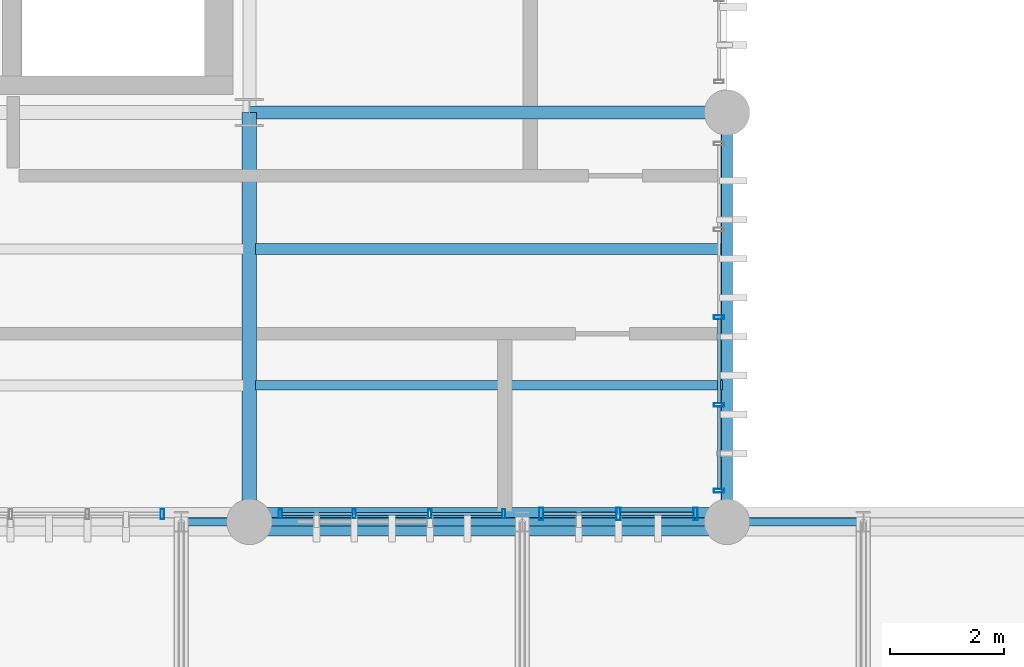
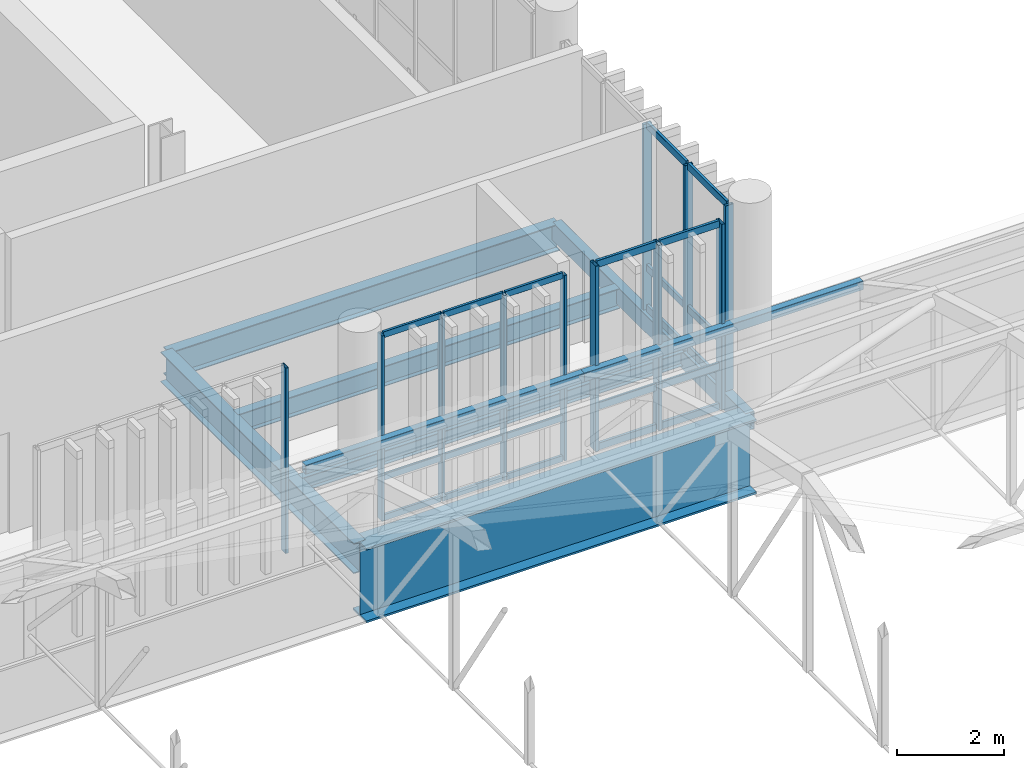
# One storey, part 53 of 109: 34 members, 6 beams, 4 elements without a shape of their own.
"""IFC4 building model written with IfcOpenShell, lengths in metres."""

from ifc_helpers import new_model, si_unit, direction, frame, origin_with_axes, origin_2d_with_axis, place, context, subcontext, project, spatial, hollow_rectangle, i_section, extrude, material, material_profile, profile_set, type_object, element, aggregate, save


model = new_model("IFC4")

# Units and contexts
model_context = context("Model", 3, precision=1e-05, world=origin_with_axes(), true_north=direction((0.0, 1.0)))
body_context = subcontext(model_context, "Body", "Model", "MODEL_VIEW")
ifc_project = project(units=[si_unit("LENGTHUNIT", "METRE"), si_unit("AREAUNIT", "SQUARE_METRE"), si_unit("VOLUMEUNIT", "CUBIC_METRE"), si_unit("PLANEANGLEUNIT", "RADIAN"), si_unit("MASSUNIT", "GRAM", prefix="KILO"), si_unit("THERMODYNAMICTEMPERATUREUNIT", "KELVIN")], contexts=[model_context])

# Site, building, storey
site_placement = place(None, origin_with_axes())
site = spatial("IfcSite", under=ifc_project, at=site_placement, CompositionType="ELEMENT")
building_placement = place(site_placement, origin_with_axes())
building = spatial("IfcBuilding", under=site, at=building_placement, Name="Montbau Bow Law Courts", CompositionType="ELEMENT")
storey_placement = place(building_placement, frame((0.0, 0.0, 10.8), z_axis=(0.0, 0.0, 1.0), x_axis=(1.0, 0.0, 0.0)))
storey = spatial("IfcBuildingStorey", under=building, at=storey_placement, Name="L02", CompositionType="ELEMENT", Elevation=10.8)

# Beams
ifc_material_1 = material(Name="Steel CSA G40.21 Grade 350W (350 MPa)", Category="steel")
ifc_material_profile_1 = material_profile(ifc_material_1, i_section(OverallWidth=0.254, OverallDepth=0.688, WebThickness=0.0131, FlangeThickness=0.0211, at=origin_2d_with_axis()), Name="W690X152", Category="Main", Priority=0)
ifc_profile_set_1 = profile_set([ifc_material_profile_1], Name="Steel CSA G40.21 Grade 350W (350 MPa)")
beam_type_1 = type_object("IfcBeamType", Name="B-FLR-04", PredefinedType="BEAM", material=ifc_profile_set_1)
beam_1_placement = place(None, frame((88.8, 39.0, 10.216), z_axis=(0.0, 1.0, 0.0), x_axis=(-1.0, 0.0, 0.0)))
element("IfcBeam", 1, at=beam_1_placement, inside=storey, type_object=beam_type_1, Name="BM-L02-S0869:bm2_0872", PredefinedType="BEAM", context=body_context, shape_type="SweptSolid", body=[
    extrude(i_section(OverallWidth=0.254, OverallDepth=0.688, WebThickness=0.0131, FlangeThickness=0.0211, at=origin_2d_with_axis()), origin_with_axes(), (0.0, 0.0, 1.0), 7.2),
])
ifc_material_profile_2 = material_profile(ifc_material_1, i_section(OverallWidth=0.229, OverallDepth=0.612, WebThickness=0.0119, FlangeThickness=0.0196, at=origin_2d_with_axis()), Name="W610X125", Category="Main", Priority=0)
ifc_profile_set_2 = profile_set([ifc_material_profile_2], Name="Steel CSA G40.21 Grade 350W (350 MPa)")
beam_type_2 = type_object("IfcBeamType", Name="B-FLR-05", PredefinedType="BEAM", material=ifc_profile_set_2)
beam_2_placement = place(None, frame((88.8, 46.2, 10.254), z_axis=(1.0, 0.0, 0.0), x_axis=(0.0, 1.0, 0.0)))
element("IfcBeam", 2, at=beam_2_placement, inside=storey, type_object=beam_type_2, Name="BM-L02-S0844:bm2_0847", PredefinedType="BEAM", context=body_context, shape_type="SweptSolid", body=[
    extrude(i_section(OverallWidth=0.229, OverallDepth=0.612, WebThickness=0.0119, FlangeThickness=0.0196, at=origin_2d_with_axis()), origin_with_axes(), (0.0, 0.0, 1.0), 8.4),
])
ifc_material_profile_3 = material_profile(ifc_material_1, i_section(OverallWidth=0.191, OverallDepth=0.46, WebThickness=0.0099, FlangeThickness=0.016, at=origin_2d_with_axis()), Name="W460X82", Category="Main", Priority=0)
ifc_profile_set_3 = profile_set([ifc_material_profile_3], Name="Steel CSA G40.21 Grade 350W (350 MPa)")
beam_type_3 = type_object("IfcBeamType", Name="B-JST-01", PredefinedType="JOIST", material=ifc_profile_set_3)
beam_3_placement = place(None, frame((88.903, 43.8, 10.33), z_axis=(1.0, 0.0, 0.0), x_axis=(0.0, 1.0, 0.0)))
element("IfcBeam", 3, at=beam_3_placement, inside=storey, type_object=beam_type_3, Name="JST-L02-S0452:jst2_0452", PredefinedType="JOIST", context=body_context, shape_type="SweptSolid", body=[
    extrude(i_section(OverallWidth=0.191, OverallDepth=0.46, WebThickness=0.0099, FlangeThickness=0.016, at=origin_2d_with_axis()), origin_with_axes(), (0.0, 0.0, 1.0), 8.217),
])
ifc_material_profile_4 = material_profile(ifc_material_1, i_section(OverallWidth=0.166, OverallDepth=0.313, WebThickness=0.0066, FlangeThickness=0.0112, at=origin_2d_with_axis()), Name="W310X45", Category="Main", Priority=0)
ifc_profile_set_4 = profile_set([ifc_material_profile_4], Name="Steel CSA G40.21 Grade 350W (350 MPa)")
beam_type_4 = type_object("IfcBeamType", Name="B-JST-04", PredefinedType="JOIST", material=ifc_profile_set_4)
beam_4_placement = place(None, frame((88.903, 41.4, 10.404), z_axis=(1.0, 0.0, 0.0), x_axis=(0.0, 1.0, 0.0)))
element("IfcBeam", 4, at=beam_4_placement, inside=storey, type_object=beam_type_4, Name="JST-L02-S0451:jst2_0451", PredefinedType="JOIST", context=body_context, shape_type="SweptSolid", body=[
    extrude(i_section(OverallWidth=0.166, OverallDepth=0.313, WebThickness=0.0066, FlangeThickness=0.0112, at=origin_2d_with_axis()), origin_with_axes(), (0.0, 0.0, 1.0), 8.217),
])
ifc_material_2 = material(Name="Steel CSA G40.21 Grade 350WT (350 MPa)", Category="steel")
ifc_material_profile_5 = material_profile(ifc_material_2, hollow_rectangle(XDim=0.203, YDim=0.406, WallThickness=0.0127, InnerFilletRadius=0.0254, OuterFilletRadius=0.0127, at=origin_2d_with_axis()), Name="HSS406X203X13", Category="Main", Priority=0)
ifc_profile_set_5 = profile_set([ifc_material_profile_5], Name="Steel CSA G40.21 Grade 350WT (350 MPa)")
beam_type_5 = type_object("IfcBeamType", Name="B-SPN-01", PredefinedType="SPANDREL", material=ifc_profile_set_5)
beam_5_placement = place(None, frame((97.2, 39.0, 10.357), z_axis=(0.0, 1.0, 0.0), x_axis=(-1.0, 0.0, 0.0)))
element("IfcBeam", 5, at=beam_5_placement, inside=storey, type_object=beam_type_5, Name="SPN-L02-S0872:bm2_0875", PredefinedType="SPANDREL", context=body_context, shape_type="SweptSolid", body=[
    extrude(hollow_rectangle(XDim=0.203, YDim=0.406, WallThickness=0.0127, InnerFilletRadius=0.0254, OuterFilletRadius=0.0127, at=origin_2d_with_axis()), origin_with_axes(), (0.0, 0.0, 1.0), 7.2),
])
ifc_material_profile_6 = material_profile(ifc_material_2, i_section(OverallWidth=0.5, OverallDepth=1.7, WebThickness=0.02, FlangeThickness=0.045, at=origin_2d_with_axis()), Name="WWF1700X480", Category="Main", Priority=0)
ifc_profile_set_6 = profile_set([ifc_material_profile_6], Name="Steel CSA G40.21 Grade 350WT (350 MPa)")
beam_type_6 = type_object("IfcBeamType", Name="B-TRG-02", PredefinedType="USERDEFINED", material=ifc_profile_set_6)
beam_6_placement = place(None, frame((88.8, 39.0, 9.71), z_axis=(1.0, 0.0, 0.0), x_axis=(0.0, 1.0, 0.0)))
element("IfcBeam", 6, at=beam_6_placement, inside=storey, type_object=beam_type_6, Name="VRG-L02-S0017:bm2_0020", ObjectType="GIRDER", PredefinedType="USERDEFINED", context=body_context, shape_type="SweptSolid", body=[
    extrude(i_section(OverallWidth=0.5, OverallDepth=1.7, WebThickness=0.02, FlangeThickness=0.045, at=origin_2d_with_axis()), origin_with_axes(), (0.0, 0.0, 1.0), 8.4),
])

# Curtain wall, members
ifc_material_3 = material(Name="Thermally Broken Extruded Aluminium AA 6063-T6", Category="aluminium")
curtain_wall_type = type_object("IfcCurtainWallType", Name="CW-CRM-01", PredefinedType="NOTDEFINED", material=ifc_material_3)
curtain_wall_1_placement = place(None, frame((93.897, 39.14, 10.8), z_axis=(0.0, 0.0, 1.0), x_axis=(1.0, 0.0, 0.0)))
curtain_wall_1 = element("IfcCurtainWall", 7, at=curtain_wall_1_placement, inside=storey, type_object=curtain_wall_type, Name="CW-L02-162:cw_0162", PredefinedType="NOTDEFINED")
ifc_material_profile_7 = material_profile(ifc_material_3, hollow_rectangle(XDim=0.075, YDim=0.22, WallThickness=0.005, InnerFilletRadius=0.01, OuterFilletRadius=0.005, at=origin_2d_with_axis()), Name="CWM-220X75", Category="Main", Priority=0)
ifc_profile_set_7 = profile_set([ifc_material_profile_7], Name="Thermally Broken Extruded Aluminium AA 6063-T6")
member_type_1 = type_object("IfcMemberType", Name="M-MUL-01", PredefinedType="MULLION", material=ifc_profile_set_7)
member_1_placement = place(None, frame((93.934, 39.14, 10.8), z_axis=(0.0, 0.0, 1.0), x_axis=(1.0, 0.0, 0.0)))
member_1 = element("IfcMember", 8, at=member_1_placement, type_object=member_type_1, Name="CW-L02-162-M01:cw_0162_M01", PredefinedType="MULLION", context=body_context, shape_type="SweptSolid", body=[
    extrude(hollow_rectangle(XDim=0.075, YDim=0.22, WallThickness=0.005, InnerFilletRadius=0.01, OuterFilletRadius=0.005, at=origin_2d_with_axis()), origin_with_axes(), (0.0, 0.0, 1.0), 4.22),
])
member_2_placement = place(None, frame((95.291, 39.14, 10.8), z_axis=(0.0, 0.0, 1.0), x_axis=(1.0, 0.0, 0.0)))
member_2 = element("IfcMember", 9, at=member_2_placement, type_object=member_type_1, Name="CW-L02-162-M02:cw_0162_M02", PredefinedType="MULLION", context=body_context, shape_type="SweptSolid", body=[
    extrude(hollow_rectangle(XDim=0.075, YDim=0.22, WallThickness=0.005, InnerFilletRadius=0.01, OuterFilletRadius=0.005, at=origin_2d_with_axis()), origin_with_axes(), (0.0, 0.0, 1.0), 4.22),
])
member_3_placement = place(None, frame((96.647, 39.14, 10.8), z_axis=(0.0, 0.0, 1.0), x_axis=(1.0, 0.0, 0.0)))
member_3 = element("IfcMember", 10, at=member_3_placement, type_object=member_type_1, Name="CW-L02-162-M03:cw_0162_M03", PredefinedType="MULLION", context=body_context, shape_type="SweptSolid", body=[
    extrude(hollow_rectangle(XDim=0.075, YDim=0.22, WallThickness=0.005, InnerFilletRadius=0.01, OuterFilletRadius=0.005, at=origin_2d_with_axis()), origin_with_axes(), (0.0, 0.0, 1.0), 4.22),
])

# Curtain wall, member
curtain_wall_2_placement = place(None, frame((81.897, 39.14, 10.8), z_axis=(0.0, 0.0, 1.0), x_axis=(1.0, 0.0, 0.0)))
curtain_wall_2 = element("IfcCurtainWall", 11, at=curtain_wall_2_placement, inside=storey, type_object=curtain_wall_type, Name="CW-L02-160:cw_0160", PredefinedType="NOTDEFINED")
ifc_material_profile_8 = material_profile(ifc_material_3, hollow_rectangle(XDim=0.065, YDim=0.18, WallThickness=0.005, InnerFilletRadius=0.01, OuterFilletRadius=0.005, at=origin_2d_with_axis()), Name="CWM-180X65", Category="Main", Priority=0)
ifc_profile_set_8 = profile_set([ifc_material_profile_8], Name="Thermally Broken Extruded Aluminium AA 6063-T6")
member_type_2 = type_object("IfcMemberType", Name="M-MUL-02", PredefinedType="MULLION", material=ifc_profile_set_8)
member_4_placement = place(None, frame((87.27, 39.14, 10.8), z_axis=(0.0, 0.0, 1.0), x_axis=(1.0, 0.0, 0.0)))
member_4 = element("IfcMember", 12, at=member_4_placement, type_object=member_type_2, Name="CW-L02-160-M05:cw_0160_M05", PredefinedType="MULLION", context=body_context, shape_type="SweptSolid", body=[
    extrude(hollow_rectangle(XDim=0.065, YDim=0.18, WallThickness=0.005, InnerFilletRadius=0.01, OuterFilletRadius=0.005, at=origin_2d_with_axis()), origin_with_axes(), (0.0, 0.0, 1.0), 4.22),
])
aggregate(curtain_wall_2, [member_4])

# Curtain wall, members
curtain_wall_3_placement = place(None, frame((97.06, 39.515, 10.8), z_axis=(0.0, 0.0, 1.0), x_axis=(1.0, 0.0, 0.0)))
curtain_wall_3 = element("IfcCurtainWall", 13, at=curtain_wall_3_placement, inside=storey, type_object=curtain_wall_type, Name="CW-L02-172:cw_0172", PredefinedType="NOTDEFINED")
member_5_placement = place(None, frame((97.06, 39.548, 10.8), z_axis=(0.0, 0.0, 1.0), x_axis=(0.0, 1.0, 0.0)))
member_5 = element("IfcMember", 14, at=member_5_placement, type_object=member_type_2, Name="CW-L02-172-M01:cw_0172_M01", PredefinedType="MULLION", context=body_context, shape_type="SweptSolid", body=[
    extrude(hollow_rectangle(XDim=0.065, YDim=0.18, WallThickness=0.005, InnerFilletRadius=0.01, OuterFilletRadius=0.005, at=origin_2d_with_axis()), origin_with_axes(), (0.0, 0.0, 1.0), 4.22),
])
member_6_placement = place(None, frame((97.06, 41.058, 10.8), z_axis=(0.0, 0.0, 1.0), x_axis=(0.0, 1.0, 0.0)))
member_6 = element("IfcMember", 15, at=member_6_placement, type_object=member_type_2, Name="CW-L02-172-M02:cw_0172_M02", PredefinedType="MULLION", context=body_context, shape_type="SweptSolid", body=[
    extrude(hollow_rectangle(XDim=0.065, YDim=0.18, WallThickness=0.005, InnerFilletRadius=0.01, OuterFilletRadius=0.005, at=origin_2d_with_axis()), origin_with_axes(), (0.0, 0.0, 1.0), 4.22),
])
member_7_placement = place(None, frame((97.06, 42.6, 10.8), z_axis=(0.0, 0.0, 1.0), x_axis=(0.0, 1.0, 0.0)))
member_7 = element("IfcMember", 16, at=member_7_placement, type_object=member_type_2, Name="CW-L02-172-M03:cw_0172_M03", PredefinedType="MULLION", context=body_context, shape_type="SweptSolid", body=[
    extrude(hollow_rectangle(XDim=0.065, YDim=0.18, WallThickness=0.005, InnerFilletRadius=0.01, OuterFilletRadius=0.005, at=origin_2d_with_axis()), origin_with_axes(), (0.0, 0.0, 1.0), 4.22),
])

curtain_wall_4_placement = place(None, frame((89.315, 39.14, 10.8), z_axis=(0.0, 0.0, 1.0), x_axis=(1.0, 0.0, 0.0)))
curtain_wall_4 = element("IfcCurtainWall", 17, at=curtain_wall_4_placement, inside=storey, type_object=curtain_wall_type, Name="CW-L02-161:cw_0161", PredefinedType="NOTDEFINED")
ifc_material_profile_9 = material_profile(ifc_material_3, hollow_rectangle(XDim=0.06, YDim=0.16, WallThickness=0.004, InnerFilletRadius=0.008, OuterFilletRadius=0.004, at=origin_2d_with_axis()), Name="CWM-160X60", Category="Main", Priority=0)
ifc_profile_set_9 = profile_set([ifc_material_profile_9], Name="Thermally Broken Extruded Aluminium AA 6063-T6")
member_type_3 = type_object("IfcMemberType", Name="M-MUL-03", PredefinedType="MULLION", material=ifc_profile_set_9)
member_8_placement = place(None, frame((89.345, 39.14, 10.8), z_axis=(0.0, 0.0, 1.0), x_axis=(1.0, 0.0, 0.0)))
member_8 = element("IfcMember", 18, at=member_8_placement, type_object=member_type_3, Name="CW-L02-161-M01:cw_0161_M01", PredefinedType="MULLION", context=body_context, shape_type="SweptSolid", body=[
    extrude(hollow_rectangle(XDim=0.06, YDim=0.16, WallThickness=0.004, InnerFilletRadius=0.008, OuterFilletRadius=0.004, at=origin_2d_with_axis()), origin_with_axes(), (0.0, 0.0, 1.0), 4.22),
])
member_9_placement = place(None, frame((90.644, 39.14, 10.8), z_axis=(0.0, 0.0, 1.0), x_axis=(1.0, 0.0, 0.0)))
member_9 = element("IfcMember", 19, at=member_9_placement, type_object=member_type_3, Name="CW-L02-161-M02:cw_0161_M02", PredefinedType="MULLION", context=body_context, shape_type="SweptSolid", body=[
    extrude(hollow_rectangle(XDim=0.06, YDim=0.16, WallThickness=0.004, InnerFilletRadius=0.008, OuterFilletRadius=0.004, at=origin_2d_with_axis()), origin_with_axes(), (0.0, 0.0, 1.0), 4.22),
])
member_10_placement = place(None, frame((91.974, 39.14, 10.8), z_axis=(0.0, 0.0, 1.0), x_axis=(1.0, 0.0, 0.0)))
member_10 = element("IfcMember", 20, at=member_10_placement, type_object=member_type_3, Name="CW-L02-161-M03:cw_0161_M03", PredefinedType="MULLION", context=body_context, shape_type="SweptSolid", body=[
    extrude(hollow_rectangle(XDim=0.06, YDim=0.16, WallThickness=0.004, InnerFilletRadius=0.008, OuterFilletRadius=0.004, at=origin_2d_with_axis()), origin_with_axes(), (0.0, 0.0, 1.0), 4.22),
])
member_11_placement = place(None, frame((93.273, 39.14, 10.8), z_axis=(0.0, 0.0, 1.0), x_axis=(1.0, 0.0, 0.0)))
member_11 = element("IfcMember", 21, at=member_11_placement, type_object=member_type_3, Name="CW-L02-161-M04:cw_0161_M04", PredefinedType="MULLION", context=body_context, shape_type="SweptSolid", body=[
    extrude(hollow_rectangle(XDim=0.06, YDim=0.16, WallThickness=0.004, InnerFilletRadius=0.008, OuterFilletRadius=0.004, at=origin_2d_with_axis()), origin_with_axes(), (0.0, 0.0, 1.0), 4.22),
])

# Members
ifc_material_profile_10 = material_profile(ifc_material_2, hollow_rectangle(XDim=0.152, YDim=0.203, WallThickness=0.0095, InnerFilletRadius=0.019, OuterFilletRadius=0.0095, at=origin_2d_with_axis()), Name="HSS203X152X9.5", Category="Main", Priority=0)
ifc_profile_set_10 = profile_set([ifc_material_profile_10], Name="Steel CSA G40.21 Grade 350WT (350 MPa)")
member_type_4 = type_object("IfcMemberType", Name="M-PUR-01", PredefinedType="PURLIN", material=ifc_profile_set_10)
for number, where, z_axis, x_axis, name in (
    (22, (87.6, 39.0, 12.658), (1.0, 0.0, 0.0), (0.0, 1.0, 0.0), "Barrel vault roof truss purlin V4-084"),
    (23, (93.6, 39.0, 12.658), (1.0, 0.0, 0.0), (0.0, 1.0, 0.0), "Barrel vault roof truss purlin V4-091"),
):
    element("IfcMember", number, at=place(None, frame(where, z_axis=z_axis, x_axis=x_axis)), inside=storey, type_object=member_type_4, Name=name, PredefinedType="PURLIN", context=body_context, shape_type="SweptSolid", body=[
        extrude(hollow_rectangle(XDim=0.152, YDim=0.203, WallThickness=0.0095, InnerFilletRadius=0.019, OuterFilletRadius=0.0095, at=origin_2d_with_axis()), origin_with_axes(), (0.0, 0.0, 1.0), 6.0),
    ])

# Member
ifc_material_profile_11 = material_profile(ifc_material_3, hollow_rectangle(XDim=0.06, YDim=0.16, WallThickness=0.004, InnerFilletRadius=0.008, OuterFilletRadius=0.004, at=origin_2d_with_axis()), Name="CWT-160X60", Category="Main", Priority=0)
ifc_profile_set_11 = profile_set([ifc_material_profile_11], Name="Thermally Broken Extruded Aluminium AA 6063-T6")
member_type_5 = type_object("IfcMemberType", Name="M-TRN-01", PredefinedType="USERDEFINED", material=ifc_profile_set_11)
member_12_placement = place(None, frame((93.973, 39.14, 10.83), z_axis=(1.0, 0.0, 0.0), x_axis=(0.0, 1.0, 0.0)))
member_12 = element("IfcMember", 24, at=member_12_placement, type_object=member_type_5, Name="CW-L02-162-T01-1:cw_0162_T01_1", ObjectType="TRANSOM", PredefinedType="USERDEFINED", context=body_context, shape_type="SweptSolid", body=[
    extrude(hollow_rectangle(XDim=0.06, YDim=0.16, WallThickness=0.004, InnerFilletRadius=0.008, OuterFilletRadius=0.004, at=origin_2d_with_axis()), origin_with_axes(), (0.0, 0.0, 1.0), 1.278),
])

member_13_placement = place(None, frame((93.973, 39.14, 11.75), z_axis=(1.0, 0.0, 0.0), x_axis=(0.0, 1.0, 0.0)))
member_13 = element("IfcMember", 25, at=member_13_placement, type_object=member_type_5, Name="CW-L02-162-T01-2:cw_0162_T01_2", ObjectType="TRANSOM", PredefinedType="USERDEFINED", context=body_context, shape_type="SweptSolid", body=[
    extrude(hollow_rectangle(XDim=0.06, YDim=0.16, WallThickness=0.004, InnerFilletRadius=0.008, OuterFilletRadius=0.004, at=origin_2d_with_axis()), origin_with_axes(), (0.0, 0.0, 1.0), 1.278),
])

member_14_placement = place(None, frame((93.973, 39.14, 14.99), z_axis=(1.0, 0.0, 0.0), x_axis=(0.0, 1.0, 0.0)))
member_14 = element("IfcMember", 26, at=member_14_placement, type_object=member_type_5, Name="CW-L02-162-T01-3:cw_0162_T01_3", ObjectType="TRANSOM", PredefinedType="USERDEFINED", context=body_context, shape_type="SweptSolid", body=[
    extrude(hollow_rectangle(XDim=0.06, YDim=0.16, WallThickness=0.004, InnerFilletRadius=0.008, OuterFilletRadius=0.004, at=origin_2d_with_axis()), origin_with_axes(), (0.0, 0.0, 1.0), 1.278),
])

member_15_placement = place(None, frame((95.33, 39.14, 10.83), z_axis=(1.0, 0.0, 0.0), x_axis=(0.0, 1.0, 0.0)))
member_15 = element("IfcMember", 27, at=member_15_placement, type_object=member_type_5, Name="CW-L02-162-T02-1:cw_0162_T02_1", ObjectType="TRANSOM", PredefinedType="USERDEFINED", context=body_context, shape_type="SweptSolid", body=[
    extrude(hollow_rectangle(XDim=0.06, YDim=0.16, WallThickness=0.004, InnerFilletRadius=0.008, OuterFilletRadius=0.004, at=origin_2d_with_axis()), origin_with_axes(), (0.0, 0.0, 1.0), 1.278),
])

member_16_placement = place(None, frame((95.33, 39.14, 11.75), z_axis=(1.0, 0.0, 0.0), x_axis=(0.0, 1.0, 0.0)))
member_16 = element("IfcMember", 28, at=member_16_placement, type_object=member_type_5, Name="CW-L02-162-T02-2:cw_0162_T02_2", ObjectType="TRANSOM", PredefinedType="USERDEFINED", context=body_context, shape_type="SweptSolid", body=[
    extrude(hollow_rectangle(XDim=0.06, YDim=0.16, WallThickness=0.004, InnerFilletRadius=0.008, OuterFilletRadius=0.004, at=origin_2d_with_axis()), origin_with_axes(), (0.0, 0.0, 1.0), 1.278),
])

member_17_placement = place(None, frame((95.33, 39.14, 14.99), z_axis=(1.0, 0.0, 0.0), x_axis=(0.0, 1.0, 0.0)))
member_17 = element("IfcMember", 29, at=member_17_placement, type_object=member_type_5, Name="CW-L02-162-T02-3:cw_0162_T02_3", ObjectType="TRANSOM", PredefinedType="USERDEFINED", context=body_context, shape_type="SweptSolid", body=[
    extrude(hollow_rectangle(XDim=0.06, YDim=0.16, WallThickness=0.004, InnerFilletRadius=0.008, OuterFilletRadius=0.004, at=origin_2d_with_axis()), origin_with_axes(), (0.0, 0.0, 1.0), 1.278),
])

aggregate(curtain_wall_1, [member_1, member_2, member_3, member_12, member_13, member_14, member_15, member_16, member_17])

member_18_placement = place(None, frame((97.06, 39.583, 10.83), z_axis=(0.0, 1.0, 0.0), x_axis=(-1.0, 0.0, 0.0)))
member_18 = element("IfcMember", 30, at=member_18_placement, type_object=member_type_5, Name="CW-L02-172-T01-1:cw_0172_T01_1", ObjectType="TRANSOM", PredefinedType="USERDEFINED", context=body_context, shape_type="SweptSolid", body=[
    extrude(hollow_rectangle(XDim=0.06, YDim=0.16, WallThickness=0.004, InnerFilletRadius=0.008, OuterFilletRadius=0.004, at=origin_2d_with_axis()), origin_with_axes(), (0.0, 0.0, 1.0), 1.44),
])

member_19_placement = place(None, frame((97.06, 39.583, 11.75), z_axis=(0.0, 1.0, 0.0), x_axis=(-1.0, 0.0, 0.0)))
member_19 = element("IfcMember", 31, at=member_19_placement, type_object=member_type_5, Name="CW-L02-172-T01-2:cw_0172_T01_2", ObjectType="TRANSOM", PredefinedType="USERDEFINED", context=body_context, shape_type="SweptSolid", body=[
    extrude(hollow_rectangle(XDim=0.06, YDim=0.16, WallThickness=0.004, InnerFilletRadius=0.008, OuterFilletRadius=0.004, at=origin_2d_with_axis()), origin_with_axes(), (0.0, 0.0, 1.0), 1.44),
])

member_20_placement = place(None, frame((97.06, 39.583, 14.99), z_axis=(0.0, 1.0, 0.0), x_axis=(-1.0, 0.0, 0.0)))
member_20 = element("IfcMember", 32, at=member_20_placement, type_object=member_type_5, Name="CW-L02-172-T01-3:cw_0172_T01_3", ObjectType="TRANSOM", PredefinedType="USERDEFINED", context=body_context, shape_type="SweptSolid", body=[
    extrude(hollow_rectangle(XDim=0.06, YDim=0.16, WallThickness=0.004, InnerFilletRadius=0.008, OuterFilletRadius=0.004, at=origin_2d_with_axis()), origin_with_axes(), (0.0, 0.0, 1.0), 1.44),
])

member_21_placement = place(None, frame((97.06, 41.092, 10.83), z_axis=(0.0, 1.0, 0.0), x_axis=(-1.0, 0.0, 0.0)))
member_21 = element("IfcMember", 33, at=member_21_placement, type_object=member_type_5, Name="CW-L02-172-T02-1:cw_0172_T02_1", ObjectType="TRANSOM", PredefinedType="USERDEFINED", context=body_context, shape_type="SweptSolid", body=[
    extrude(hollow_rectangle(XDim=0.06, YDim=0.16, WallThickness=0.004, InnerFilletRadius=0.008, OuterFilletRadius=0.004, at=origin_2d_with_axis()), origin_with_axes(), (0.0, 0.0, 1.0), 1.473),
])

member_22_placement = place(None, frame((97.06, 41.092, 11.75), z_axis=(0.0, 1.0, 0.0), x_axis=(-1.0, 0.0, 0.0)))
member_22 = element("IfcMember", 34, at=member_22_placement, type_object=member_type_5, Name="CW-L02-172-T02-2:cw_0172_T02_2", ObjectType="TRANSOM", PredefinedType="USERDEFINED", context=body_context, shape_type="SweptSolid", body=[
    extrude(hollow_rectangle(XDim=0.06, YDim=0.16, WallThickness=0.004, InnerFilletRadius=0.008, OuterFilletRadius=0.004, at=origin_2d_with_axis()), origin_with_axes(), (0.0, 0.0, 1.0), 1.473),
])

member_23_placement = place(None, frame((97.06, 41.092, 14.99), z_axis=(0.0, 1.0, 0.0), x_axis=(-1.0, 0.0, 0.0)))
member_23 = element("IfcMember", 35, at=member_23_placement, type_object=member_type_5, Name="CW-L02-172-T02-3:cw_0172_T02_3", ObjectType="TRANSOM", PredefinedType="USERDEFINED", context=body_context, shape_type="SweptSolid", body=[
    extrude(hollow_rectangle(XDim=0.06, YDim=0.16, WallThickness=0.004, InnerFilletRadius=0.008, OuterFilletRadius=0.004, at=origin_2d_with_axis()), origin_with_axes(), (0.0, 0.0, 1.0), 1.473),
])

aggregate(curtain_wall_3, [member_5, member_6, member_7, member_18, member_19, member_20, member_21, member_22, member_23])

ifc_material_profile_12 = material_profile(ifc_material_3, hollow_rectangle(XDim=0.055, YDim=0.14, WallThickness=0.004, InnerFilletRadius=0.008, OuterFilletRadius=0.004, at=origin_2d_with_axis()), Name="CWT-140X55", Category="Main", Priority=0)
ifc_profile_set_12 = profile_set([ifc_material_profile_12], Name="Thermally Broken Extruded Aluminium AA 6063-T6")
member_type_6 = type_object("IfcMemberType", Name="M-TRN-02", PredefinedType="USERDEFINED", material=ifc_profile_set_12)
member_24_placement = place(None, frame((89.377, 39.14, 10.828), z_axis=(1.0, 0.0, 0.0), x_axis=(0.0, 1.0, 0.0)))
member_24 = element("IfcMember", 36, at=member_24_placement, type_object=member_type_6, Name="CW-L02-161-T01-1:cw_0161_T01_1", ObjectType="TRANSOM", PredefinedType="USERDEFINED", context=body_context, shape_type="SweptSolid", body=[
    extrude(hollow_rectangle(XDim=0.055, YDim=0.14, WallThickness=0.004, InnerFilletRadius=0.008, OuterFilletRadius=0.004, at=origin_2d_with_axis()), origin_with_axes(), (0.0, 0.0, 1.0), 1.235),
])

member_25_placement = place(None, frame((89.377, 39.14, 11.75), z_axis=(1.0, 0.0, 0.0), x_axis=(0.0, 1.0, 0.0)))
member_25 = element("IfcMember", 37, at=member_25_placement, type_object=member_type_6, Name="CW-L02-161-T01-2:cw_0161_T01_2", ObjectType="TRANSOM", PredefinedType="USERDEFINED", context=body_context, shape_type="SweptSolid", body=[
    extrude(hollow_rectangle(XDim=0.055, YDim=0.14, WallThickness=0.004, InnerFilletRadius=0.008, OuterFilletRadius=0.004, at=origin_2d_with_axis()), origin_with_axes(), (0.0, 0.0, 1.0), 1.235),
])

member_26_placement = place(None, frame((89.377, 39.14, 14.992), z_axis=(1.0, 0.0, 0.0), x_axis=(0.0, 1.0, 0.0)))
member_26 = element("IfcMember", 38, at=member_26_placement, type_object=member_type_6, Name="CW-L02-161-T01-3:cw_0161_T01_3", ObjectType="TRANSOM", PredefinedType="USERDEFINED", context=body_context, shape_type="SweptSolid", body=[
    extrude(hollow_rectangle(XDim=0.055, YDim=0.14, WallThickness=0.004, InnerFilletRadius=0.008, OuterFilletRadius=0.004, at=origin_2d_with_axis()), origin_with_axes(), (0.0, 0.0, 1.0), 1.235),
])

member_27_placement = place(None, frame((90.676, 39.14, 10.828), z_axis=(1.0, 0.0, 0.0), x_axis=(0.0, 1.0, 0.0)))
member_27 = element("IfcMember", 39, at=member_27_placement, type_object=member_type_6, Name="CW-L02-161-T02-1:cw_0161_T02_1", ObjectType="TRANSOM", PredefinedType="USERDEFINED", context=body_context, shape_type="SweptSolid", body=[
    extrude(hollow_rectangle(XDim=0.055, YDim=0.14, WallThickness=0.004, InnerFilletRadius=0.008, OuterFilletRadius=0.004, at=origin_2d_with_axis()), origin_with_axes(), (0.0, 0.0, 1.0), 1.266),
])

member_28_placement = place(None, frame((90.676, 39.14, 11.75), z_axis=(1.0, 0.0, 0.0), x_axis=(0.0, 1.0, 0.0)))
member_28 = element("IfcMember", 40, at=member_28_placement, type_object=member_type_6, Name="CW-L02-161-T02-2:cw_0161_T02_2", ObjectType="TRANSOM", PredefinedType="USERDEFINED", context=body_context, shape_type="SweptSolid", body=[
    extrude(hollow_rectangle(XDim=0.055, YDim=0.14, WallThickness=0.004, InnerFilletRadius=0.008, OuterFilletRadius=0.004, at=origin_2d_with_axis()), origin_with_axes(), (0.0, 0.0, 1.0), 1.266),
])

member_29_placement = place(None, frame((90.676, 39.14, 14.992), z_axis=(1.0, 0.0, 0.0), x_axis=(0.0, 1.0, 0.0)))
member_29 = element("IfcMember", 41, at=member_29_placement, type_object=member_type_6, Name="CW-L02-161-T02-3:cw_0161_T02_3", ObjectType="TRANSOM", PredefinedType="USERDEFINED", context=body_context, shape_type="SweptSolid", body=[
    extrude(hollow_rectangle(XDim=0.055, YDim=0.14, WallThickness=0.004, InnerFilletRadius=0.008, OuterFilletRadius=0.004, at=origin_2d_with_axis()), origin_with_axes(), (0.0, 0.0, 1.0), 1.266),
])

member_30_placement = place(None, frame((92.006, 39.14, 10.828), z_axis=(1.0, 0.0, 0.0), x_axis=(0.0, 1.0, 0.0)))
member_30 = element("IfcMember", 42, at=member_30_placement, type_object=member_type_6, Name="CW-L02-161-T03-1:cw_0161_T03_1", ObjectType="TRANSOM", PredefinedType="USERDEFINED", context=body_context, shape_type="SweptSolid", body=[
    extrude(hollow_rectangle(XDim=0.055, YDim=0.14, WallThickness=0.004, InnerFilletRadius=0.008, OuterFilletRadius=0.004, at=origin_2d_with_axis()), origin_with_axes(), (0.0, 0.0, 1.0), 1.235),
])

member_31_placement = place(None, frame((92.006, 39.14, 11.75), z_axis=(1.0, 0.0, 0.0), x_axis=(0.0, 1.0, 0.0)))
member_31 = element("IfcMember", 43, at=member_31_placement, type_object=member_type_6, Name="CW-L02-161-T03-2:cw_0161_T03_2", ObjectType="TRANSOM", PredefinedType="USERDEFINED", context=body_context, shape_type="SweptSolid", body=[
    extrude(hollow_rectangle(XDim=0.055, YDim=0.14, WallThickness=0.004, InnerFilletRadius=0.008, OuterFilletRadius=0.004, at=origin_2d_with_axis()), origin_with_axes(), (0.0, 0.0, 1.0), 1.235),
])

member_32_placement = place(None, frame((92.006, 39.14, 14.992), z_axis=(1.0, 0.0, 0.0), x_axis=(0.0, 1.0, 0.0)))
member_32 = element("IfcMember", 44, at=member_32_placement, type_object=member_type_6, Name="CW-L02-161-T03-3:cw_0161_T03_3", ObjectType="TRANSOM", PredefinedType="USERDEFINED", context=body_context, shape_type="SweptSolid", body=[
    extrude(hollow_rectangle(XDim=0.055, YDim=0.14, WallThickness=0.004, InnerFilletRadius=0.008, OuterFilletRadius=0.004, at=origin_2d_with_axis()), origin_with_axes(), (0.0, 0.0, 1.0), 1.235),
])

aggregate(curtain_wall_4, [member_8, member_9, member_10, member_11, member_24, member_25, member_26, member_27, member_28, member_29, member_30, member_31, member_32])

save(model, "model.ifc")
